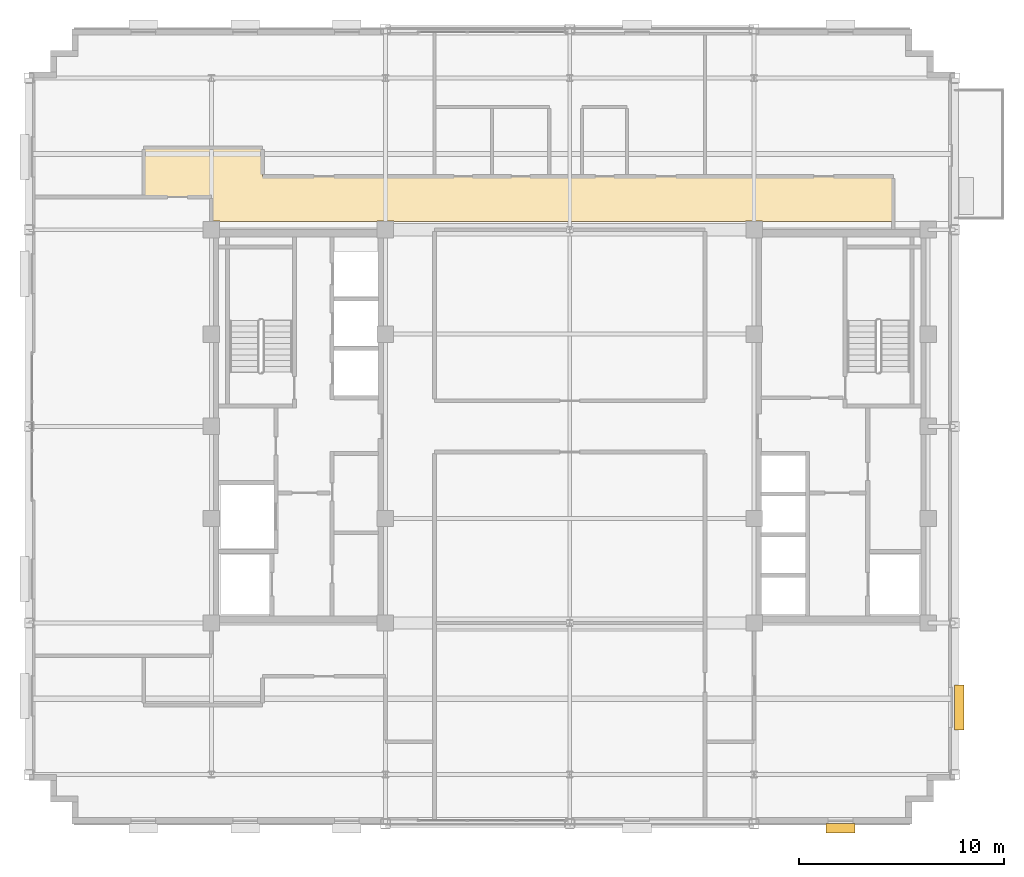
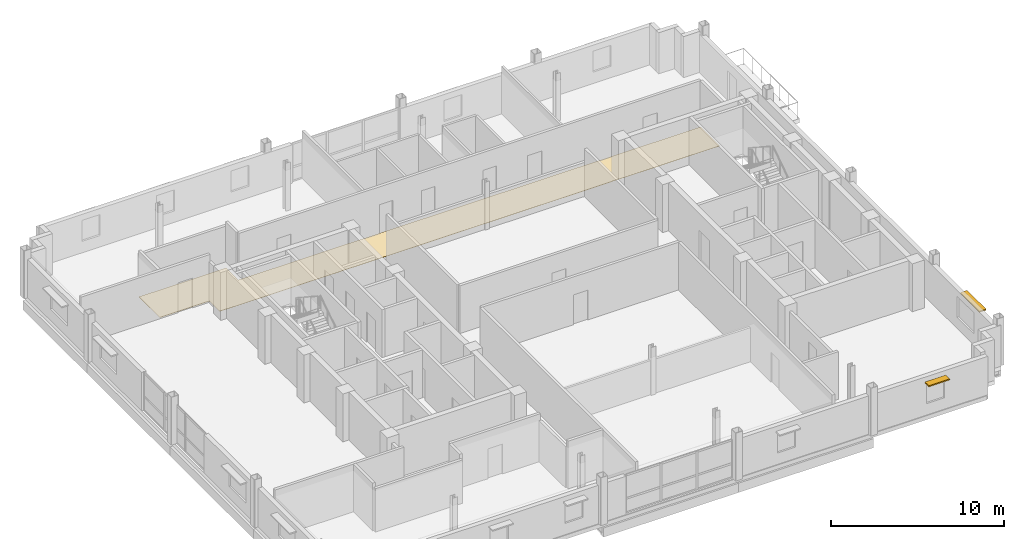
# One storey, part 14 of 16: 2 shading devices, 1 covering.
"""IFC4 building model written with IfcOpenShell, lengths in metres."""

from ifc_helpers import new_model, si_unit, direction, frame, origin, origin_2d, place, context, subcontext, project, spatial, polyline, rectangle, outline, extrude, source, transform, mapped, material, layer, layer_set, type_object, type_shapes, element, save


model = new_model("IFC4")

# Units and contexts
model_context = context("Model", 3, precision=1e-05, world=origin(), true_north=direction((0.0, 1.0)))
body_context = subcontext(model_context, "Body", "Model", "MODEL_VIEW")
ifc_project = project(units=[si_unit("LENGTHUNIT", "METRE"), si_unit("AREAUNIT", "SQUARE_METRE"), si_unit("VOLUMEUNIT", "CUBIC_METRE"), si_unit("PLANEANGLEUNIT", "RADIAN"), si_unit("MASSUNIT", "GRAM", prefix="KILO")], contexts=[model_context])

# Site, building, storey
site_placement = place(None, origin())
site = spatial("IfcSite", under=ifc_project, at=site_placement, CompositionType="ELEMENT")
building_placement = place(site_placement, origin())
building = spatial("IfcBuilding", under=site, at=building_placement, Name="Nuvemarco Arch Tower", CompositionType="ELEMENT")
storey_placement = place(building_placement, frame((0.0, 0.0, 227.39990234375)))
storey = spatial("IfcBuildingStorey", under=building, at=storey_placement, Name="L60", CompositionType="ELEMENT", Elevation=227.39990234375)

# Covering
ifc_material_1 = material(Name="Polished granite terrazzostone flooring", Category="masonry")
ifc_layer = layer(ifc_material_1, 0.02001953125, Name="COV-LOBBY-FLR")
ifc_layer_set = layer_set([ifc_layer], Name="Polished granite terrazzostone flooring")
covering_type = type_object("IfcCoveringType", Name="COV-LOBBY-FLR", PredefinedType="FLOORING", material=ifc_layer_set)
covering_placement = place(storey_placement, origin())
element("IfcCovering", 1, at=covering_placement, inside=storey, type_object=covering_type, Name="L60 polished terrazzo lobby flooring", PredefinedType="FLOORING", context=body_context, shape_type="SweptSolid", body=[
    extrude(outline(polyline([(-8.5849609375, 10.014892578125), (-9.4150390625, 10.014892578125), (-9.4150390625, 10.0), (-17.0849609375, 10.0), (-17.0849609375, 10.014892578125), (-17.5, 10.014892578125), (-17.5, 11.199951171875), (-20.800048828125, 11.199951171875), (-20.800048828125, 13.60009765625), (-15.0, 13.60009765625), (-15.0, 12.199951171875), (-9.0, 12.199951171875), (-6.60009765625, 12.199951171875), (6.60009765625, 12.199951171875), (9.0, 12.199951171875), (15.800048828125, 12.199951171875), (15.800048828125, 10.0), (9.4150390625, 10.0), (9.4150390625, 10.014892578125), (8.5849609375, 10.014892578125), (8.5849609375, 10.0), (-8.5849609375, 10.0), (-8.5849609375, 10.014892578125)])), origin(), (0.0, 0.0, 1.0), 0.02001953125),
])

# Shading devices
ifc_material_2 = material(Name="Anodised aluminium 6063-T6", Category="aluminium")
shading_device_type_1 = type_object("IfcShadingDeviceType", Name="SHD-BRISE-SOLEIL", PredefinedType="USERDEFINED", material=ifc_material_2)
shared_shape_1 = source(origin(), body_context, "Body", "SweptSolid", [
    extrude(rectangle(XDim=2.199951171875, YDim=0.449951171875, at=origin_2d()), origin(), (0.0, 0.0, 1.0), 0.080078125),
])
type_shapes(shading_device_type_1, [shared_shape_1])
shading_device_1_placement = place(storey_placement, frame((19.014892578125, -13.7177734375, 2.28515625), z_axis=(0.0, 0.0, 1.0), x_axis=(0.0, 1.0, 0.0)))
element("IfcShadingDevice", 2, at=shading_device_1_placement, inside=storey, type_object=shading_device_type_1, Name="L60 horizontal brise-soleil sunshade", ObjectType="SUNSHADE", PredefinedType="USERDEFINED", context=body_context, shape_type="MappedRepresentation", body=[
    mapped(shared_shape_1, transform((0.0, 0.0, 0.0), scale=1.0)),
])
shading_device_type_2 = type_object("IfcShadingDeviceType", Name="SHD-BRISE-NARROW", PredefinedType="USERDEFINED", material=ifc_material_2)
shared_shape_2 = source(origin(), body_context, "Body", "SweptSolid", [
    extrude(rectangle(XDim=1.39990234375, YDim=0.449951171875, at=origin_2d()), origin(), (0.0, 0.0, 1.0), 0.080078125),
])
type_shapes(shading_device_type_2, [shared_shape_2])
shading_device_2_placement = place(storey_placement, frame((13.216796875, -19.614990234375, 2.28515625), z_axis=(0.0, 0.0, 1.0), x_axis=(1.0, 0.0, 0.0)))
element("IfcShadingDevice", 3, at=shading_device_2_placement, inside=storey, type_object=shading_device_type_2, Name="L60 horizontal brise-soleil sunshade", ObjectType="SUNSHADE", PredefinedType="USERDEFINED", context=body_context, shape_type="MappedRepresentation", body=[
    mapped(shared_shape_2, transform((0.0, 0.0, 0.0), scale=1.0)),
])

save(model, "model.ifc")
